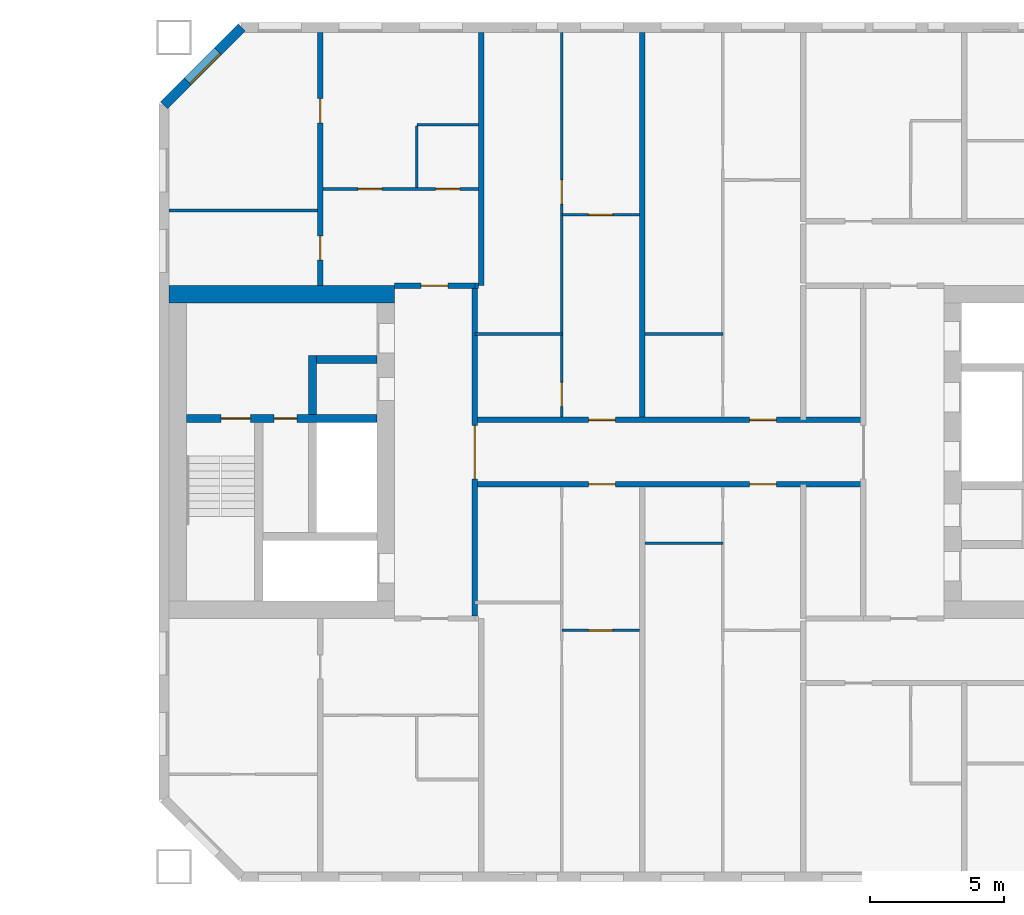
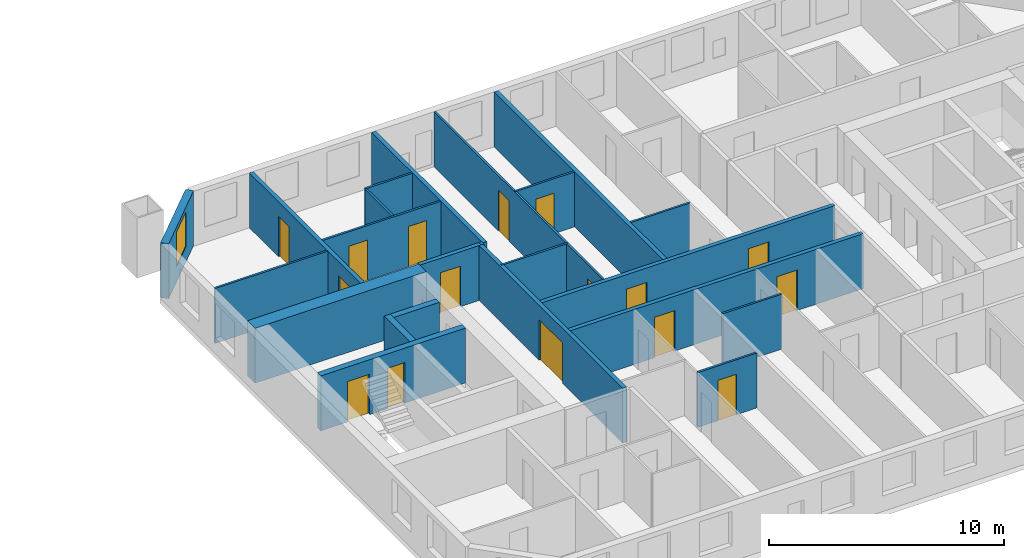
# One storey, part 11 of 17: 23 walls, 16 doors, 1 window, 17 openings.
"""IFC4 building model written with IfcOpenShell, lengths in metres."""

from ifc_helpers import new_model, si_unit, direction, frame, frame_2d, origin, place, context, subcontext, project, spatial, rectangle, extrude, material, layer, layer_set, type_object, element, fill, save


model = new_model("IFC4")

# Units and contexts
model_context = context("Model", 3, precision=1e-05, world=origin(), true_north=direction((0.0, 1.0)))
body_context = subcontext(model_context, "Body", "Model", "MODEL_VIEW")
ifc_project = project(units=[si_unit("LENGTHUNIT", "METRE"), si_unit("AREAUNIT", "SQUARE_METRE"), si_unit("VOLUMEUNIT", "CUBIC_METRE"), si_unit("PLANEANGLEUNIT", "RADIAN"), si_unit("MASSUNIT", "GRAM", prefix="KILO")], contexts=[model_context])

# Site, building, storey
site_placement = place(None, origin())
site = spatial("IfcSite", under=ifc_project, at=site_placement, CompositionType="ELEMENT")
building_placement = place(site_placement, origin())
building = spatial("IfcBuilding", under=site, at=building_placement, Name="Tuart Gate Housing", CompositionType="ELEMENT")
storey_placement = place(building_placement, frame((0.0, 0.0, 105.699951171875)))
storey = spatial("IfcBuildingStorey", under=building, at=storey_placement, Name="L29", CompositionType="ELEMENT", Elevation=105.699951171875)

# Wall, opening, window
ifc_material_1 = material(Name="Brick", Category="masonry")
ifc_layer_1 = layer(ifc_material_1, 0.360107421875)
ifc_layer_set_1 = layer_set([ifc_layer_1], Name="Brick pier and spandrel wall 360")
wall_type_1 = type_object("IfcWallType", Name="Brick pier and spandrel wall 360", PredefinedType="STANDARD", material=ifc_layer_set_1)
wall_1_placement = place(storey_placement, frame((134.07470703125, 85.820068359375, 0.0), z_axis=(0.0, 0.0, 1.0), x_axis=(-0.707106781187, -0.707106781187, 0.0)))
wall_1 = element("IfcWall", 1, at=wall_1_placement, inside=storey, type_object=wall_type_1, Name="External wall B-NW L29", PredefinedType="STANDARD", context=body_context, shape_type="SweptSolid", body=[
    extrude(rectangle(XDim=4.09375, YDim=0.360107421875, at=frame_2d((2.046875, 0.0))), origin(), (0.0, 0.0, 1.0), 2.85009765625),
])
opening_1_placement = place(wall_1_placement, frame((1.2470703125, 0.0, 0.800048828125)))
opening_1 = element("IfcOpeningElement", 2, at=opening_1_placement, cuts=wall_1, Name="Opening W1", PredefinedType="OPENING", context=body_context, shape_type="SweptSolid", body=[
    extrude(rectangle(XDim=1.60009765625, YDim=1.800048828125, at=frame_2d((0.800048828125, 0.89990234375))), frame((0.0, 0.18994140625, 0.0), z_axis=(0.0, -1.0, 0.0), x_axis=(1.0, 0.0, 0.0)), (0.0, 0.0, 1.0), 0.380126953125),
])
ifc_material_2 = material(Name="Aluminium frame with clear glass", Category="aluminium")
window_type = type_object("IfcWindowType", Name="Punched window 1600 x 1800", PartitioningType="SINGLE_PANEL", PredefinedType="WINDOW", material=ifc_material_2)
window_placement = place(opening_1_placement, origin())
window = element("IfcWindow", 3, at=window_placement, inside=storey, type_object=window_type, Name="Window W1", OverallHeight=1.800048828125, OverallWidth=1.60009765625, PartitioningType="SINGLE_PANEL", PredefinedType="WINDOW", context=body_context, shape_type="SweptSolid", body=[
    extrude(rectangle(XDim=1.60009765625, YDim=1.800048828125, at=frame_2d((0.800048828125, 0.89990234375))), frame((0.0, 0.150146484375, 0.0), z_axis=(0.0, -1.0, 0.0), x_axis=(1.0, 0.0, 0.0)), (0.0, 0.0, 1.0), 0.06005859375),
])
fill(opening_1, window)

# Wall, openings, doors
ifc_material_3 = material(Name="Concrete C50", Category="concrete")
ifc_layer_2 = layer(ifc_material_3, 0.300048828125)
ifc_layer_set_2 = layer_set([ifc_layer_2], Name="Core wall 300 C50")
wall_type_2 = type_object("IfcWallType", Name="Core wall 300 C50", PredefinedType="SHEAR", material=ifc_layer_set_2)
wall_2_placement = place(storey_placement, frame((139.110107421875, 71.25, 0.0), z_axis=(0.0, 0.0, 1.0), x_axis=(-1.0, 0.0, 0.0)))
wall_2 = element("IfcWall", 4, at=wall_2_placement, inside=storey, type_object=wall_type_2, Name="Core wall BG.2", PredefinedType="SHEAR", context=body_context, shape_type="SweptSolid", body=[
    extrude(rectangle(XDim=7.10009765625, YDim=0.300048828125, at=frame_2d((3.550048828125, 0.0))), origin(), (0.0, 0.0, 1.0), 2.85009765625),
])
opening_2_placement = place(wall_2_placement, frame((4.699951171875, 0.0, 0.0)))
opening_2 = element("IfcOpeningElement", 5, at=opening_2_placement, cuts=wall_2, Name="Opening D1256", PredefinedType="OPENING", context=body_context, shape_type="SweptSolid", body=[
    extrude(rectangle(XDim=1.10009765625, YDim=2.10009765625, at=frame_2d((0.550048828125, 1.050048828125))), frame((0.0, 0.159912109375, 0.0), z_axis=(0.0, -1.0, 0.0), x_axis=(1.0, 0.0, 0.0)), (0.0, 0.0, 1.0), 0.320068359375),
])
opening_3_placement = place(wall_2_placement, frame((2.97509765625, 0.0, 0.0)))
opening_3 = element("IfcOpeningElement", 6, at=opening_3_placement, cuts=wall_2, Name="Opening D1255", PredefinedType="OPENING", context=body_context, shape_type="SweptSolid", body=[
    extrude(rectangle(XDim=0.85009765625, YDim=2.10009765625, at=frame_2d((0.425048828125, 1.050048828125))), frame((0.0, 0.159912109375, 0.0), z_axis=(0.0, -1.0, 0.0), x_axis=(1.0, 0.0, 0.0)), (0.0, 0.0, 1.0), 0.320068359375),
])
ifc_material_4 = material(Name="Steel fire door", Category="steel")
door_type_1 = type_object("IfcDoorType", Name="Riser door 850 x 2100", OperationType="SINGLE_SWING_LEFT", PredefinedType="DOOR", material=ifc_material_4)
door_1_placement = place(opening_3_placement, origin())
door_1 = element("IfcDoor", 7, at=door_1_placement, inside=storey, type_object=door_type_1, Name="Service room door BG.W1", OperationType="SINGLE_SWING_LEFT", OverallHeight=2.10009765625, OverallWidth=0.85009765625, PredefinedType="DOOR", context=body_context, shape_type="SweptSolid", body=[
    extrude(rectangle(XDim=0.85009765625, YDim=2.10009765625, at=frame_2d((0.425048828125, 1.050048828125))), frame((0.0, 0.02490234375, 0.0), z_axis=(0.0, -1.0, 0.0), x_axis=(1.0, 0.0, 0.0)), (0.0, 0.0, 1.0), 0.050048828125),
])
fill(opening_3, door_1)
ifc_material_5 = material(Name="Steel fire door", Category="steel")
door_type_2 = type_object("IfcDoorType", Name="Stair door 1100 x 2100", OperationType="SINGLE_SWING_LEFT", PredefinedType="DOOR", material=ifc_material_5)
door_2_placement = place(opening_2_placement, origin())
door_2 = element("IfcDoor", 8, at=door_2_placement, inside=storey, type_object=door_type_2, Name="Stair door BG.SD", OperationType="SINGLE_SWING_LEFT", OverallHeight=2.10009765625, OverallWidth=1.10009765625, PredefinedType="DOOR", context=body_context, shape_type="SweptSolid", body=[
    extrude(rectangle(XDim=1.10009765625, YDim=2.10009765625, at=frame_2d((0.550048828125, 1.050048828125))), frame((0.0, 0.02490234375, 0.0), z_axis=(0.0, -1.0, 0.0), x_axis=(1.0, 0.0, 0.0)), (0.0, 0.0, 1.0), 0.050048828125),
])
fill(opening_2, door_2)

# Walls
wall_3_placement = place(storey_placement, frame((139.110107421875, 73.449951171875, 0.0), z_axis=(0.0, 0.0, 1.0), x_axis=(-1.0, 0.0, 0.0)))
element("IfcWall", 9, at=wall_3_placement, inside=storey, type_object=wall_type_2, Name="Core wall BG.3", PredefinedType="SHEAR", context=body_context, shape_type="SweptSolid", body=[
    extrude(rectangle(XDim=2.25, YDim=0.300048828125, at=frame_2d((1.125, 0.0))), origin(), (0.0, 0.0, 1.0), 2.85009765625),
])
wall_4_placement = place(storey_placement, frame((136.7099609375, 71.39990234375, 0.0), z_axis=(0.0, 0.0, 1.0), x_axis=(0.0, 1.0, 0.0)))
element("IfcWall", 10, at=wall_4_placement, inside=storey, type_object=wall_type_2, Name="Core wall BG.5", PredefinedType="SHEAR", context=body_context, shape_type="SweptSolid", body=[
    extrude(rectangle(XDim=2.2001953125, YDim=0.300048828125, at=frame_2d((1.10009765625, 0.0))), origin(), (0.0, 0.0, 1.0), 2.85009765625),
])
ifc_material_6 = material(Name="Concrete C50", Category="concrete")
ifc_layer_3 = layer(ifc_material_6, 0.64990234375)
ifc_layer_set_3 = layer_set([ifc_layer_3], Name="Core wall 650 C50")
wall_type_3 = type_object("IfcWallType", Name="Core wall 650 C50", PredefinedType="SHEAR", material=ifc_layer_set_3)
wall_5_placement = place(storey_placement, frame((139.760009765625, 75.875, 0.0), z_axis=(0.0, 0.0, 1.0), x_axis=(-1.0, 0.0, 0.0)))
element("IfcWall", 11, at=wall_5_placement, inside=storey, type_object=wall_type_3, Name="Core wall BG north", PredefinedType="SHEAR", context=body_context, shape_type="SweptSolid", body=[
    extrude(rectangle(XDim=8.39990234375, YDim=0.64990234375, at=frame_2d((4.199951171875, 0.0))), origin(), (0.0, 0.0, 1.0), 2.85009765625),
])

# Wall, openings, doors
ifc_material_7 = material(Name="Concrete masonry 15 MPa", Category="masonry")
ifc_layer_4 = layer(ifc_material_7, 0.199951171875)
ifc_layer_set_4 = layer_set([ifc_layer_4], Name="Corridor wall masonry 200")
wall_type_4 = type_object("IfcWallType", Name="Corridor wall masonry 200", PredefinedType="PARTITIONING", material=ifc_layer_set_4)
wall_6_placement = place(storey_placement, frame((142.760009765625, 68.800048828125, 0.0), z_axis=(0.0, 0.0, 1.0), x_axis=(1.0, 0.0, 0.0)))
wall_6 = element("IfcWall", 12, at=wall_6_placement, inside=storey, type_object=wall_type_4, Name="Corridor wall masonry 200", PredefinedType="PARTITIONING", context=body_context, shape_type="SweptSolid", body=[
    extrude(rectangle(XDim=14.47998046875, YDim=0.199951171875, at=frame_2d((7.239990234375, 0.0))), origin(), (0.0, 0.0, 1.0), 2.85009765625),
])
opening_4_placement = place(wall_6_placement, frame((4.239990234375, 0.0, 0.0)))
opening_4 = element("IfcOpeningElement", 13, at=opening_4_placement, cuts=wall_6, Name="Opening D1267", PredefinedType="OPENING", context=body_context, shape_type="SweptSolid", body=[
    extrude(rectangle(XDim=1.0, YDim=2.10009765625, at=frame_2d((0.5, 1.050048828125))), frame((0.0, 0.10986328125, 0.0), z_axis=(0.0, -1.0, 0.0), x_axis=(1.0, 0.0, 0.0)), (0.0, 0.0, 1.0), 0.219970703125),
])
opening_5_placement = place(wall_6_placement, frame((10.239990234375, 0.0, 0.0)))
opening_5 = element("IfcOpeningElement", 14, at=opening_5_placement, cuts=wall_6, Name="Opening D1268", PredefinedType="OPENING", context=body_context, shape_type="SweptSolid", body=[
    extrude(rectangle(XDim=1.0, YDim=2.10009765625, at=frame_2d((0.5, 1.050048828125))), frame((0.0, 0.10986328125, 0.0), z_axis=(0.0, -1.0, 0.0), x_axis=(1.0, 0.0, 0.0)), (0.0, 0.0, 1.0), 0.219970703125),
])
ifc_material_8 = material(Name="Timber door leaf in steel frame", Category="steel")
door_type_3 = type_object("IfcDoorType", Name="Flat entrance door 1000 RH", OperationType="SINGLE_SWING_RIGHT", PredefinedType="DOOR", material=ifc_material_8)
door_3_placement = place(opening_4_placement, frame((1.0, 0.0, 0.0), z_axis=(0.0, 0.0, 1.0), x_axis=(-1.0, 0.0, 0.0)))
door_3 = element("IfcDoor", 15, at=door_3_placement, inside=storey, type_object=door_type_3, Name="Flat entrance door", OperationType="SINGLE_SWING_RIGHT", OverallHeight=2.10009765625, OverallWidth=1.0, PredefinedType="DOOR", context=body_context, shape_type="SweptSolid", body=[
    extrude(rectangle(XDim=1.0, YDim=2.10009765625, at=frame_2d((0.5, 1.050048828125))), frame((0.0, 0.025146484375, 0.0), z_axis=(0.0, -1.0, 0.0), x_axis=(1.0, 0.0, 0.0)), (0.0, 0.0, 1.0), 0.050048828125),
])
fill(opening_4, door_3)
door_4_placement = place(opening_5_placement, frame((1.0, 0.0, 0.0), z_axis=(0.0, 0.0, 1.0), x_axis=(-1.0, 0.0, 0.0)))
door_4 = element("IfcDoor", 16, at=door_4_placement, inside=storey, type_object=door_type_3, Name="Flat entrance door", OperationType="SINGLE_SWING_RIGHT", OverallHeight=2.10009765625, OverallWidth=1.0, PredefinedType="DOOR", context=body_context, shape_type="SweptSolid", body=[
    extrude(rectangle(XDim=1.0, YDim=2.10009765625, at=frame_2d((0.5, 1.050048828125))), frame((0.0, 0.025146484375, 0.0), z_axis=(0.0, -1.0, 0.0), x_axis=(1.0, 0.0, 0.0)), (0.0, 0.0, 1.0), 0.050048828125),
])
fill(opening_5, door_4)

wall_7_placement = place(storey_placement, frame((142.760009765625, 71.199951171875, 0.0), z_axis=(0.0, 0.0, 1.0), x_axis=(1.0, 0.0, 0.0)))
wall_7 = element("IfcWall", 17, at=wall_7_placement, inside=storey, type_object=wall_type_4, Name="Corridor wall masonry 200", PredefinedType="PARTITIONING", context=body_context, shape_type="SweptSolid", body=[
    extrude(rectangle(XDim=14.47998046875, YDim=0.199951171875, at=frame_2d((7.239990234375, 0.0))), origin(), (0.0, 0.0, 1.0), 2.85009765625),
])
opening_6_placement = place(wall_7_placement, frame((4.239990234375, 0.0, 0.0)))
opening_6 = element("IfcOpeningElement", 18, at=opening_6_placement, cuts=wall_7, Name="Opening D1257", PredefinedType="OPENING", context=body_context, shape_type="SweptSolid", body=[
    extrude(rectangle(XDim=1.0, YDim=2.10009765625, at=frame_2d((0.5, 1.050048828125))), frame((0.0, 0.10986328125, 0.0), z_axis=(0.0, -1.0, 0.0), x_axis=(1.0, 0.0, 0.0)), (0.0, 0.0, 1.0), 0.219970703125),
])
opening_7_placement = place(wall_7_placement, frame((10.239990234375, 0.0, 0.0)))
opening_7 = element("IfcOpeningElement", 19, at=opening_7_placement, cuts=wall_7, Name="Opening D1258", PredefinedType="OPENING", context=body_context, shape_type="SweptSolid", body=[
    extrude(rectangle(XDim=1.0, YDim=2.10009765625, at=frame_2d((0.5, 1.050048828125))), frame((0.0, 0.10986328125, 0.0), z_axis=(0.0, -1.0, 0.0), x_axis=(1.0, 0.0, 0.0)), (0.0, 0.0, 1.0), 0.219970703125),
])
ifc_material_9 = material(Name="Timber door leaf in steel frame", Category="steel")
door_type_4 = type_object("IfcDoorType", Name="Flat entrance door 1000", OperationType="SINGLE_SWING_LEFT", PredefinedType="DOOR", material=ifc_material_9)
door_5_placement = place(opening_6_placement, origin())
door_5 = element("IfcDoor", 20, at=door_5_placement, inside=storey, type_object=door_type_4, Name="Flat entrance door", OperationType="SINGLE_SWING_LEFT", OverallHeight=2.10009765625, OverallWidth=1.0, PredefinedType="DOOR", context=body_context, shape_type="SweptSolid", body=[
    extrude(rectangle(XDim=1.0, YDim=2.10009765625, at=frame_2d((0.5, 1.050048828125))), frame((0.0, 0.02490234375, 0.0), z_axis=(0.0, -1.0, 0.0), x_axis=(1.0, 0.0, 0.0)), (0.0, 0.0, 1.0), 0.050048828125),
])
fill(opening_6, door_5)
door_6_placement = place(opening_7_placement, origin())
door_6 = element("IfcDoor", 21, at=door_6_placement, inside=storey, type_object=door_type_4, Name="Flat entrance door", OperationType="SINGLE_SWING_LEFT", OverallHeight=2.10009765625, OverallWidth=1.0, PredefinedType="DOOR", context=body_context, shape_type="SweptSolid", body=[
    extrude(rectangle(XDim=1.0, YDim=2.10009765625, at=frame_2d((0.5, 1.050048828125))), frame((0.0, 0.02490234375, 0.0), z_axis=(0.0, -1.0, 0.0), x_axis=(1.0, 0.0, 0.0)), (0.0, 0.0, 1.0), 0.050048828125),
])
fill(opening_7, door_6)

# Wall, opening, door
ifc_material_10 = material(Name="Concrete masonry 15 MPa", Category="masonry")
ifc_layer_5 = layer(ifc_material_10, 0.199951171875)
ifc_layer_set_5 = layer_set([ifc_layer_5], Name="Enclosure wall masonry 200")
wall_type_5 = type_object("IfcWallType", Name="Enclosure wall masonry 200", PredefinedType="PARTITIONING", material=ifc_layer_set_5)
wall_8_placement = place(storey_placement, frame((139.760009765625, 76.199951171875, 0.0), z_axis=(0.0, 0.0, 1.0), x_axis=(1.0, 0.0, 0.0)))
wall_8 = element("IfcWall", 22, at=wall_8_placement, inside=storey, type_object=wall_type_5, Name="Enclosure wall masonry 200", PredefinedType="PARTITIONING", context=body_context, shape_type="SweptSolid", body=[
    extrude(rectangle(XDim=3.0, YDim=0.199951171875, at=frame_2d((1.5, 0.0))), origin(), (0.0, 0.0, 1.0), 2.85009765625),
])
opening_8_placement = place(wall_8_placement, frame((1.0, 0.0, 0.0)))
opening_8 = element("IfcOpeningElement", 23, at=opening_8_placement, cuts=wall_8, Name="Opening D1253", PredefinedType="OPENING", context=body_context, shape_type="SweptSolid", body=[
    extrude(rectangle(XDim=1.0, YDim=2.10009765625, at=frame_2d((0.5, 1.050048828125))), frame((0.0, 0.10986328125, 0.0), z_axis=(0.0, -1.0, 0.0), x_axis=(1.0, 0.0, 0.0)), (0.0, 0.0, 1.0), 0.219970703125),
])
door_7_placement = place(opening_8_placement, origin())
door_7 = element("IfcDoor", 24, at=door_7_placement, inside=storey, type_object=door_type_3, Name="Flat entrance door", OperationType="SINGLE_SWING_RIGHT", OverallHeight=2.10009765625, OverallWidth=1.0, PredefinedType="DOOR", context=body_context, shape_type="SweptSolid", body=[
    extrude(rectangle(XDim=1.0, YDim=2.10009765625, at=frame_2d((0.5, 1.050048828125))), frame((0.0, 0.02490234375, 0.0), z_axis=(0.0, -1.0, 0.0), x_axis=(1.0, 0.0, 0.0)), (0.0, 0.0, 1.0), 0.050048828125),
])
fill(opening_8, door_7)

ifc_material_11 = material(Name="Plasterboard partition")
ifc_layer_6 = layer(ifc_material_11, 0.199951171875)
ifc_layer_set_6 = layer_set([ifc_layer_6], Name="Lobby wall 200")
wall_type_6 = type_object("IfcWallType", Name="Lobby wall 200", PredefinedType="PARTITIONING", material=ifc_layer_set_6)
wall_9_placement = place(storey_placement, frame((142.760009765625, 63.89990234375, 0.0), z_axis=(0.0, 0.0, 1.0), x_axis=(0.0, 1.0, 0.0)))
wall_9 = element("IfcWall", 25, at=wall_9_placement, inside=storey, type_object=wall_type_6, Name="Lift lobby wall BG", PredefinedType="PARTITIONING", context=body_context, shape_type="SweptSolid", body=[
    extrude(rectangle(XDim=12.2001953125, YDim=0.199951171875, at=frame_2d((6.10009765625, 0.0))), origin(), (0.0, 0.0, 1.0), 2.85009765625),
])
opening_9_placement = place(wall_9_placement, frame((5.10009765625, 0.0, 0.0)))
opening_9 = element("IfcOpeningElement", 26, at=opening_9_placement, cuts=wall_9, Name="Opening D1261", PredefinedType="OPENING", context=body_context, shape_type="SweptSolid", body=[
    extrude(rectangle(XDim=2.0, YDim=2.10009765625, at=frame_2d((1.0, 1.050048828125))), frame((0.0, 0.10986328125, 0.0), z_axis=(0.0, -1.0, 0.0), x_axis=(1.0, 0.0, 0.0)), (0.0, 0.0, 1.0), 0.219970703125),
])
ifc_material_12 = material(Name="Steel fire door", Category="steel")
door_type_5 = type_object("IfcDoorType", Name="Smoke door 2000 x 2100", OperationType="DOUBLE_DOOR_SINGLE_SWING", PredefinedType="DOOR", material=ifc_material_12)
door_8_placement = place(opening_9_placement, origin())
door_8 = element("IfcDoor", 27, at=door_8_placement, inside=storey, type_object=door_type_5, Name="Lift lobby smoke door BG", OperationType="DOUBLE_DOOR_SINGLE_SWING", OverallHeight=2.10009765625, OverallWidth=2.0, PredefinedType="DOOR", context=body_context, shape_type="SweptSolid", body=[
    extrude(rectangle(XDim=2.0, YDim=2.10009765625, at=frame_2d((1.0, 1.050048828125))), frame((0.0, 0.02490234375, 0.0), z_axis=(0.0, -1.0, 0.0), x_axis=(1.0, 0.0, 0.0)), (0.0, 0.0, 1.0), 0.050048828125),
])
fill(opening_9, door_8)

ifc_material_13 = material(Name="Gypsum board on steel studs", Category="steel")
ifc_layer_7 = layer(ifc_material_13, 0.10009765625)
ifc_layer_set_7 = layer_set([ifc_layer_7], Name="Partition 100")
wall_type_7 = type_object("IfcWallType", Name="Partition 100", PredefinedType="PARTITIONING", material=ifc_layer_set_7)
wall_10_placement = place(storey_placement, frame((146.0, 63.360107421875, 0.0), z_axis=(0.0, 0.0, 1.0), x_axis=(1.0, 0.0, 0.0)))
wall_10 = element("IfcWall", 28, at=wall_10_placement, inside=storey, type_object=wall_type_7, Name="Partition 100", PredefinedType="PARTITIONING", context=body_context, shape_type="SweptSolid", body=[
    extrude(rectangle(XDim=2.89990234375, YDim=0.10009765625, at=frame_2d((1.449951171875, 0.0))), origin(), (0.0, 0.0, 1.0), 2.85009765625),
])
opening_10_placement = place(wall_10_placement, frame((1.0, 0.0, 0.0)))
opening_10 = element("IfcOpeningElement", 29, at=opening_10_placement, cuts=wall_10, Name="Opening D1274", PredefinedType="OPENING", context=body_context, shape_type="SweptSolid", body=[
    extrude(rectangle(XDim=0.89990234375, YDim=2.10009765625, at=frame_2d((0.449951171875, 1.050048828125))), frame((0.0, 0.06005859375, 0.0), z_axis=(0.0, -1.0, 0.0), x_axis=(1.0, 0.0, 0.0)), (0.0, 0.0, 1.0), 0.1201171875),
])
ifc_material_14 = material(Name="Timber door leaf in steel frame", Category="steel")
door_type_6 = type_object("IfcDoorType", Name="Internal door 900", OperationType="SINGLE_SWING_LEFT", PredefinedType="DOOR", material=ifc_material_14)
door_9_placement = place(opening_10_placement, origin())
door_9 = element("IfcDoor", 30, at=door_9_placement, inside=storey, type_object=door_type_6, Name="Internal door", OperationType="SINGLE_SWING_LEFT", OverallHeight=2.10009765625, OverallWidth=0.89990234375, PredefinedType="DOOR", context=body_context, shape_type="SweptSolid", body=[
    extrude(rectangle(XDim=0.89990234375, YDim=2.10009765625, at=frame_2d((0.449951171875, 1.050048828125))), frame((0.0, 0.02490234375, 0.0), z_axis=(0.0, -1.0, 0.0), x_axis=(1.0, 0.0, 0.0)), (0.0, 0.0, 1.0), 0.050048828125),
])
fill(opening_10, door_9)

# Walls
wall_11_placement = place(storey_placement, frame((149.10009765625, 66.60009765625, 0.0), z_axis=(0.0, 0.0, 1.0), x_axis=(1.0, 0.0, 0.0)))
element("IfcWall", 31, at=wall_11_placement, inside=storey, type_object=wall_type_7, Name="Partition 100", PredefinedType="PARTITIONING", context=body_context, shape_type="SweptSolid", body=[
    extrude(rectangle(XDim=2.89990234375, YDim=0.10009765625, at=frame_2d((1.449951171875, 0.0))), origin(), (0.0, 0.0, 1.0), 2.85009765625),
])
wall_12_placement = place(storey_placement, frame((142.760009765625, 74.39990234375, 0.0), z_axis=(0.0, 0.0, 1.0), x_axis=(1.0, 0.0, 0.0)))
element("IfcWall", 32, at=wall_12_placement, inside=storey, type_object=wall_type_7, Name="Partition 100", PredefinedType="PARTITIONING", context=body_context, shape_type="SweptSolid", body=[
    extrude(rectangle(XDim=3.239990234375, YDim=0.10009765625, at=frame_2d((1.6201171875, 0.0))), origin(), (0.0, 0.0, 1.0), 2.85009765625),
])
wall_13_placement = place(storey_placement, frame((149.10009765625, 74.39990234375, 0.0), z_axis=(0.0, 0.0, 1.0), x_axis=(1.0, 0.0, 0.0)))
element("IfcWall", 33, at=wall_13_placement, inside=storey, type_object=wall_type_7, Name="Partition 100", PredefinedType="PARTITIONING", context=body_context, shape_type="SweptSolid", body=[
    extrude(rectangle(XDim=2.89990234375, YDim=0.10009765625, at=frame_2d((1.449951171875, 0.0))), origin(), (0.0, 0.0, 1.0), 2.85009765625),
])

# Wall, opening, door
wall_14_placement = place(storey_placement, frame((146.0, 78.840087890625, 0.0), z_axis=(0.0, 0.0, 1.0), x_axis=(1.0, 0.0, 0.0)))
wall_14 = element("IfcWall", 34, at=wall_14_placement, inside=storey, type_object=wall_type_7, Name="Partition 100", PredefinedType="PARTITIONING", context=body_context, shape_type="SweptSolid", body=[
    extrude(rectangle(XDim=2.89990234375, YDim=0.10009765625, at=frame_2d((1.449951171875, 0.0))), origin(), (0.0, 0.0, 1.0), 2.85009765625),
])
opening_11_placement = place(wall_14_placement, frame((1.0, 0.0, 0.0)))
opening_11 = element("IfcOpeningElement", 35, at=opening_11_placement, cuts=wall_14, Name="Opening D1245", PredefinedType="OPENING", context=body_context, shape_type="SweptSolid", body=[
    extrude(rectangle(XDim=0.89990234375, YDim=2.10009765625, at=frame_2d((0.449951171875, 1.050048828125))), frame((0.0, 0.06005859375, 0.0), z_axis=(0.0, -1.0, 0.0), x_axis=(1.0, 0.0, 0.0)), (0.0, 0.0, 1.0), 0.1201171875),
])
ifc_material_15 = material(Name="Timber door leaf in steel frame", Category="steel")
door_type_7 = type_object("IfcDoorType", Name="Internal door 900 RH", OperationType="SINGLE_SWING_RIGHT", PredefinedType="DOOR", material=ifc_material_15)
door_10_placement = place(opening_11_placement, frame((0.89990234375, 0.0, 0.0), z_axis=(0.0, 0.0, 1.0), x_axis=(-1.0, 0.0, 0.0)))
door_10 = element("IfcDoor", 36, at=door_10_placement, inside=storey, type_object=door_type_7, Name="Internal door", OperationType="SINGLE_SWING_RIGHT", OverallHeight=2.10009765625, OverallWidth=0.89990234375, PredefinedType="DOOR", context=body_context, shape_type="SweptSolid", body=[
    extrude(rectangle(XDim=0.89990234375, YDim=2.10009765625, at=frame_2d((0.449951171875, 1.050048828125))), frame((0.0, 0.025146484375, 0.0), z_axis=(0.0, -1.0, 0.0), x_axis=(1.0, 0.0, 0.0)), (0.0, 0.0, 1.0), 0.050048828125),
])
fill(opening_11, door_10)

# Wall
wall_15_placement = place(storey_placement, frame((131.360107421875, 79.0, 0.0), z_axis=(0.0, 0.0, 1.0), x_axis=(1.0, 0.0, 0.0)))
element("IfcWall", 37, at=wall_15_placement, inside=storey, type_object=wall_type_7, Name="Partition 100", PredefinedType="PARTITIONING", context=body_context, shape_type="SweptSolid", body=[
    extrude(rectangle(XDim=5.539794921875, YDim=0.10009765625, at=frame_2d((2.77001953125, 0.0))), origin(), (0.0, 0.0, 1.0), 2.85009765625),
])

# Wall, openings, doors
wall_16_placement = place(storey_placement, frame((137.10009765625, 79.800048828125, 0.0), z_axis=(0.0, 0.0, 1.0), x_axis=(1.0, 0.0, 0.0)))
wall_16 = element("IfcWall", 38, at=wall_16_placement, inside=storey, type_object=wall_type_7, Name="Partition 100", PredefinedType="PARTITIONING", context=body_context, shape_type="SweptSolid", body=[
    extrude(rectangle(XDim=5.7998046875, YDim=0.10009765625, at=frame_2d((2.89990234375, 0.0))), origin(), (0.0, 0.0, 1.0), 2.85009765625),
])
opening_12_placement = place(wall_16_placement, frame((1.300048828125, 0.0, 0.0)))
opening_12 = element("IfcOpeningElement", 39, at=opening_12_placement, cuts=wall_16, Name="Opening D1244", PredefinedType="OPENING", context=body_context, shape_type="SweptSolid", body=[
    extrude(rectangle(XDim=0.89990234375, YDim=2.10009765625, at=frame_2d((0.449951171875, 1.050048828125))), frame((0.0, 0.06005859375, 0.0), z_axis=(0.0, -1.0, 0.0), x_axis=(1.0, 0.0, 0.0)), (0.0, 0.0, 1.0), 0.1201171875),
])
opening_13_placement = place(wall_16_placement, frame((4.199951171875, 0.0, 0.0)))
opening_13 = element("IfcOpeningElement", 40, at=opening_13_placement, cuts=wall_16, Name="Opening D1243", PredefinedType="OPENING", context=body_context, shape_type="SweptSolid", body=[
    extrude(rectangle(XDim=0.89990234375, YDim=2.10009765625, at=frame_2d((0.449951171875, 1.050048828125))), frame((0.0, 0.06005859375, 0.0), z_axis=(0.0, -1.0, 0.0), x_axis=(1.0, 0.0, 0.0)), (0.0, 0.0, 1.0), 0.1201171875),
])
ifc_material_16 = material(Name="Timber door leaf in steel frame", Category="steel")
door_type_8 = type_object("IfcDoorType", Name="Bathroom door 900", OperationType="SINGLE_SWING_LEFT", PredefinedType="DOOR", material=ifc_material_16)
door_11_placement = place(opening_13_placement, origin())
door_11 = element("IfcDoor", 41, at=door_11_placement, inside=storey, type_object=door_type_8, Name="Bathroom door", OperationType="SINGLE_SWING_LEFT", OverallHeight=2.10009765625, OverallWidth=0.89990234375, PredefinedType="DOOR", context=body_context, shape_type="SweptSolid", body=[
    extrude(rectangle(XDim=0.89990234375, YDim=2.10009765625, at=frame_2d((0.449951171875, 1.050048828125))), frame((0.0, 0.02490234375, 0.0), z_axis=(0.0, -1.0, 0.0), x_axis=(1.0, 0.0, 0.0)), (0.0, 0.0, 1.0), 0.050048828125),
])
fill(opening_13, door_11)
door_12_placement = place(opening_12_placement, frame((0.89990234375, 0.0, 0.0), z_axis=(0.0, 0.0, 1.0), x_axis=(-1.0, 0.0, 0.0)))
door_12 = element("IfcDoor", 42, at=door_12_placement, inside=storey, type_object=door_type_7, Name="Internal door", OperationType="SINGLE_SWING_RIGHT", OverallHeight=2.10009765625, OverallWidth=0.89990234375, PredefinedType="DOOR", context=body_context, shape_type="SweptSolid", body=[
    extrude(rectangle(XDim=0.89990234375, YDim=2.10009765625, at=frame_2d((0.449951171875, 1.050048828125))), frame((0.0, 0.025146484375, 0.0), z_axis=(0.0, -1.0, 0.0), x_axis=(1.0, 0.0, 0.0)), (0.0, 0.0, 1.0), 0.050048828125),
])
fill(opening_12, door_12)

# Walls
for number, where, z_axis, x_axis, name in (
    (43, (140.60009765625, 82.199951171875, 0.0), (0.0, 0.0, 1.0), (1.0, 0.0, 0.0), "Partition 100"),
    (44, (140.60009765625, 79.85009765625, 0.0), (0.0, 0.0, 1.0), (0.0, 1.0, 0.0), "Partition 100"),
):
    element("IfcWall", number, at=place(storey_placement, frame(where, z_axis=z_axis, x_axis=x_axis)), inside=storey, type_object=wall_type_7, Name=name, PredefinedType="PARTITIONING", context=body_context, shape_type="SweptSolid", body=[
        extrude(rectangle(XDim=2.2998046875, YDim=0.10009765625, at=frame_2d((1.14990234375, 0.0))), origin(), (0.0, 0.0, 1.0), 2.85009765625),
    ])

# Wall, openings, doors
wall_17_placement = place(storey_placement, frame((146.0, 71.300048828125, 0.0), z_axis=(0.0, 0.0, 1.0), x_axis=(0.0, 1.0, 0.0)))
wall_17 = element("IfcWall", 45, at=wall_17_placement, inside=storey, type_object=wall_type_7, Name="Partition 100", PredefinedType="PARTITIONING", context=body_context, shape_type="SweptSolid", body=[
    extrude(rectangle(XDim=14.33984375, YDim=0.10009765625, at=frame_2d((7.169921875, 0.0))), origin(), (0.0, 0.0, 1.0), 2.85009765625),
])
opening_14_placement = place(wall_17_placement, frame((7.93994140625, 0.0, 0.0)))
opening_14 = element("IfcOpeningElement", 46, at=opening_14_placement, cuts=wall_17, Name="Opening D1250", PredefinedType="OPENING", context=body_context, shape_type="SweptSolid", body=[
    extrude(rectangle(XDim=0.89990234375, YDim=2.10009765625, at=frame_2d((0.449951171875, 1.050048828125))), frame((0.0, 0.06005859375, 0.0), z_axis=(0.0, -1.0, 0.0), x_axis=(1.0, 0.0, 0.0)), (0.0, 0.0, 1.0), 0.1201171875),
])
opening_15_placement = place(wall_17_placement, frame((0.39990234375, 0.0, 0.0)))
opening_15 = element("IfcOpeningElement", 47, at=opening_15_placement, cuts=wall_17, Name="Opening D1249", PredefinedType="OPENING", context=body_context, shape_type="SweptSolid", body=[
    extrude(rectangle(XDim=0.89990234375, YDim=2.10009765625, at=frame_2d((0.449951171875, 1.050048828125))), frame((0.0, 0.06005859375, 0.0), z_axis=(0.0, -1.0, 0.0), x_axis=(1.0, 0.0, 0.0)), (0.0, 0.0, 1.0), 0.1201171875),
])
door_13_placement = place(opening_15_placement, origin())
door_13 = element("IfcDoor", 48, at=door_13_placement, inside=storey, type_object=door_type_8, Name="Bathroom door", OperationType="SINGLE_SWING_LEFT", OverallHeight=2.10009765625, OverallWidth=0.89990234375, PredefinedType="DOOR", context=body_context, shape_type="SweptSolid", body=[
    extrude(rectangle(XDim=0.89990234375, YDim=2.10009765625, at=frame_2d((0.449951171875, 1.050048828125))), frame((0.0, 0.02490234375, 0.0), z_axis=(0.0, -1.0, 0.0), x_axis=(1.0, 0.0, 0.0)), (0.0, 0.0, 1.0), 0.050048828125),
])
fill(opening_15, door_13)
door_14_placement = place(opening_14_placement, origin())
door_14 = element("IfcDoor", 49, at=door_14_placement, inside=storey, type_object=door_type_6, Name="Internal door", OperationType="SINGLE_SWING_LEFT", OverallHeight=2.10009765625, OverallWidth=0.89990234375, PredefinedType="DOOR", context=body_context, shape_type="SweptSolid", body=[
    extrude(rectangle(XDim=0.89990234375, YDim=2.10009765625, at=frame_2d((0.449951171875, 1.050048828125))), frame((0.0, 0.02490234375, 0.0), z_axis=(0.0, -1.0, 0.0), x_axis=(1.0, 0.0, 0.0)), (0.0, 0.0, 1.0), 0.050048828125),
])
fill(opening_14, door_14)

ifc_material_17 = material(Name="Concrete C40", Category="concrete")
ifc_layer_8 = layer(ifc_material_17, 0.199951171875)
ifc_layer_set_8 = layer_set([ifc_layer_8], Name="Party wall concrete C40 200")
wall_type_8 = type_object("IfcWallType", Name="Party wall concrete C40 200", PredefinedType="SOLIDWALL", material=ifc_layer_set_8)
wall_18_placement = place(storey_placement, frame((137.0, 76.199951171875, 0.0), z_axis=(0.0, 0.0, 1.0), x_axis=(0.0, 1.0, 0.0)))
wall_18 = element("IfcWall", 50, at=wall_18_placement, inside=storey, type_object=wall_type_8, Name="Party wall concrete C40 200", PredefinedType="SOLIDWALL", context=body_context, shape_type="SweptSolid", body=[
    extrude(rectangle(XDim=9.43994140625, YDim=0.199951171875, at=frame_2d((4.719970703125, 0.0))), origin(), (0.0, 0.0, 1.0), 2.85009765625),
])
opening_16_placement = place(wall_18_placement, frame((6.070068359375, 0.0, 0.0)))
opening_16 = element("IfcOpeningElement", 51, at=opening_16_placement, cuts=wall_18, Name="Opening D1237", PredefinedType="OPENING", context=body_context, shape_type="SweptSolid", body=[
    extrude(rectangle(XDim=0.89990234375, YDim=2.10009765625, at=frame_2d((0.449951171875, 1.050048828125))), frame((0.0, 0.10986328125, 0.0), z_axis=(0.0, -1.0, 0.0), x_axis=(1.0, 0.0, 0.0)), (0.0, 0.0, 1.0), 0.219970703125),
])
opening_17_placement = place(wall_18_placement, frame((0.949951171875, 0.0, 0.0)))
opening_17 = element("IfcOpeningElement", 52, at=opening_17_placement, cuts=wall_18, Name="Opening D1238", PredefinedType="OPENING", context=body_context, shape_type="SweptSolid", body=[
    extrude(rectangle(XDim=0.89990234375, YDim=2.10009765625, at=frame_2d((0.449951171875, 1.050048828125))), frame((0.0, 0.10986328125, 0.0), z_axis=(0.0, -1.0, 0.0), x_axis=(1.0, 0.0, 0.0)), (0.0, 0.0, 1.0), 0.219970703125),
])
door_15_placement = place(opening_17_placement, origin())
door_15 = element("IfcDoor", 53, at=door_15_placement, inside=storey, type_object=door_type_6, Name="Internal door", OperationType="SINGLE_SWING_LEFT", OverallHeight=2.10009765625, OverallWidth=0.89990234375, PredefinedType="DOOR", context=body_context, shape_type="SweptSolid", body=[
    extrude(rectangle(XDim=0.89990234375, YDim=2.10009765625, at=frame_2d((0.449951171875, 1.050048828125))), frame((0.0, 0.02490234375, 0.0), z_axis=(0.0, -1.0, 0.0), x_axis=(1.0, 0.0, 0.0)), (0.0, 0.0, 1.0), 0.050048828125),
])
fill(opening_17, door_15)
door_16_placement = place(opening_16_placement, origin())
door_16 = element("IfcDoor", 54, at=door_16_placement, inside=storey, type_object=door_type_7, Name="Internal door", OperationType="SINGLE_SWING_RIGHT", OverallHeight=2.10009765625, OverallWidth=0.89990234375, PredefinedType="DOOR", context=body_context, shape_type="SweptSolid", body=[
    extrude(rectangle(XDim=0.89990234375, YDim=2.10009765625, at=frame_2d((0.449951171875, 1.050048828125))), frame((0.0, 0.02490234375, 0.0), z_axis=(0.0, -1.0, 0.0), x_axis=(1.0, 0.0, 0.0)), (0.0, 0.0, 1.0), 0.050048828125),
])
fill(opening_16, door_16)

# Walls
wall_19_placement = place(storey_placement, frame((143.0, 76.199951171875, 0.0), z_axis=(0.0, 0.0, 1.0), x_axis=(0.0, 1.0, 0.0)))
element("IfcWall", 55, at=wall_19_placement, inside=storey, type_object=wall_type_8, Name="Party wall concrete C40 200", PredefinedType="SOLIDWALL", context=body_context, shape_type="SweptSolid", body=[
    extrude(rectangle(XDim=9.43994140625, YDim=0.199951171875, at=frame_2d((4.719970703125, 0.0))), origin(), (0.0, 0.0, 1.0), 2.85009765625),
])
wall_20_placement = place(storey_placement, frame((149.0, 71.199951171875, 0.0), z_axis=(0.0, 0.0, 1.0), x_axis=(0.0, 1.0, 0.0)))
element("IfcWall", 56, at=wall_20_placement, inside=storey, type_object=wall_type_8, Name="Party wall concrete C40 200", PredefinedType="SOLIDWALL", context=body_context, shape_type="SweptSolid", body=[
    extrude(rectangle(XDim=14.43994140625, YDim=0.199951171875, at=frame_2d((7.219970703125, 0.0))), origin(), (0.0, 0.0, 1.0), 2.85009765625),
])
ifc_material_18 = material(Name="Concrete masonry 15 MPa", Category="masonry")
ifc_layer_9 = layer(ifc_material_18, 0.199951171875)
ifc_layer_set_9 = layer_set([ifc_layer_9], Name="Party wall masonry 200")
wall_type_9 = type_object("IfcWallType", Name="Party wall masonry 200", PredefinedType="PARTITIONING", material=ifc_layer_set_9)
wall_21_placement = place(storey_placement, frame((142.760009765625, 76.199951171875, 0.0), z_axis=(0.0, 0.0, 1.0), x_axis=(1.0, 0.0, 0.0)))
element("IfcWall", 57, at=wall_21_placement, inside=storey, type_object=wall_type_9, Name="Party wall masonry 200", PredefinedType="PARTITIONING", context=body_context, shape_type="SweptSolid", body=[
    extrude(rectangle(XDim=0.139892578125, YDim=0.199951171875, at=frame_2d((0.06982421875, 0.0))), origin(), (0.0, 0.0, 1.0), 2.85009765625),
])

save(model, "model.ifc")
